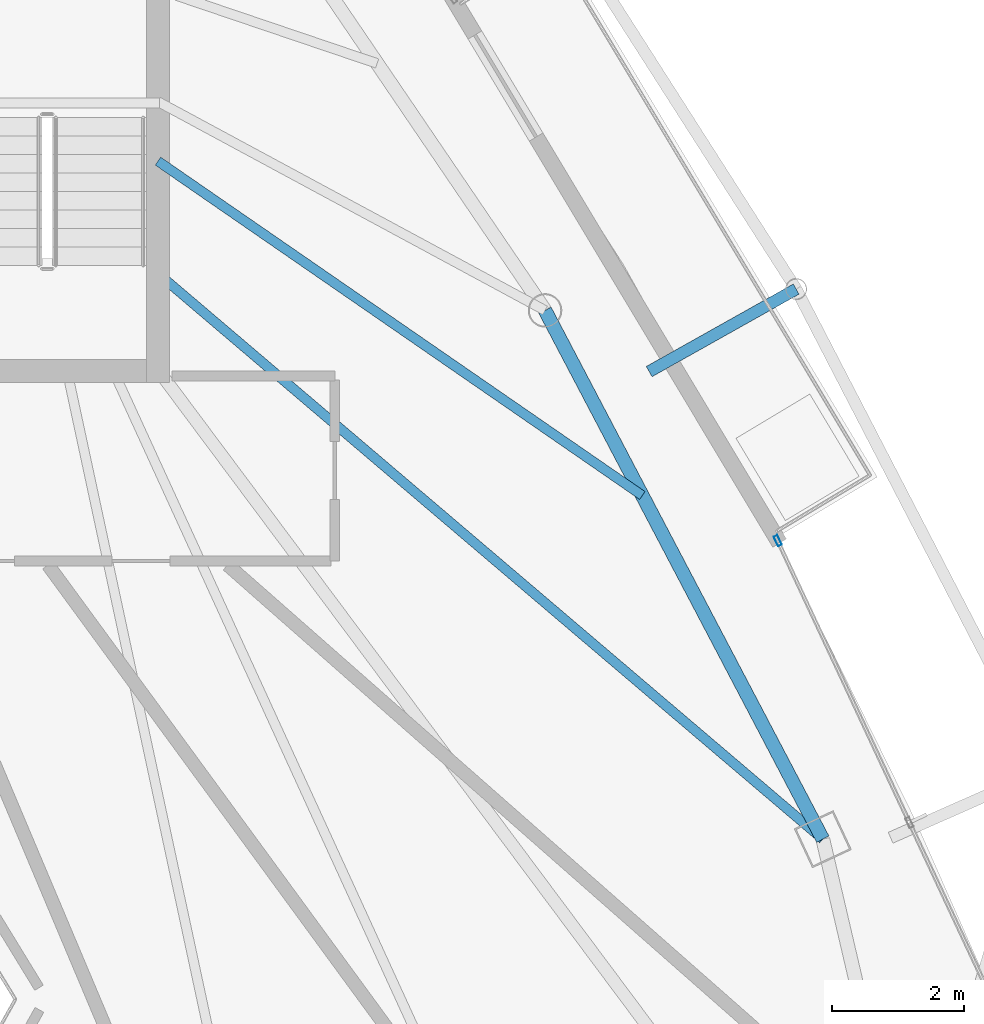
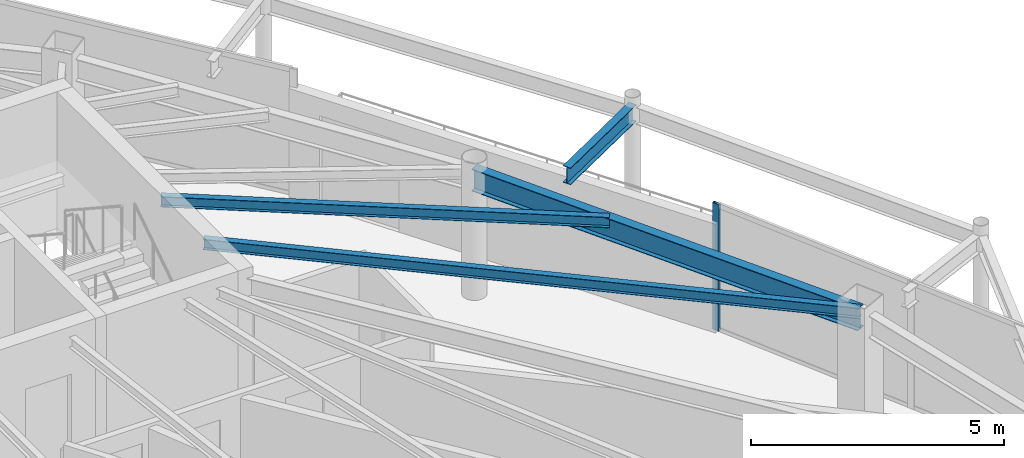
# One storey, part 17 of 28: 4 beams, 1 member, 1 element without a shape of its own.
"""IFC4 building model written with IfcOpenShell, lengths in metres."""

from ifc_helpers import new_model, si_unit, direction, frame, origin, origin_2d, place, context, subcontext, project, spatial, hollow_rectangle, i_section, extrude, material, layer, layer_set, material_profile, profile_set, type_object, element, aggregate, save


model = new_model("IFC4")

# Units and contexts
model_context = context("Model", 3, precision=1e-05, world=origin(), true_north=direction((0.0, 1.0)))
body_context = subcontext(model_context, "Body", "Model", "MODEL_VIEW")
ifc_project = project(units=[si_unit("LENGTHUNIT", "METRE"), si_unit("AREAUNIT", "SQUARE_METRE"), si_unit("VOLUMEUNIT", "CUBIC_METRE"), si_unit("PLANEANGLEUNIT", "RADIAN"), si_unit("MASSUNIT", "GRAM", prefix="KILO")], contexts=[model_context])

# Site, building, storey
site_placement = place(None, origin())
site = spatial("IfcSite", under=ifc_project, at=site_placement, CompositionType="ELEMENT")
building_placement = place(site_placement, origin())
building = spatial("IfcBuilding", under=site, at=building_placement, Name="Orvanel Arch Residences", CompositionType="ELEMENT")
storey_placement = place(building_placement, frame((0.0, 0.0, 263.449951171875)))
storey = spatial("IfcBuildingStorey", under=building, at=storey_placement, Name="L75", CompositionType="ELEMENT", Elevation=263.449951171875)

# Beams
ifc_material_1 = material(Name="Structural steel AS/NZS 3679.1 Grade 300 (300 MPa)", Category="steel")
ifc_material_profile_1 = material_profile(ifc_material_1, i_section(OverallWidth=0.14599609375, OverallDepth=0.251953125, WebThickness=0.006103515625, FlangeThickness=0.008544921875, at=origin_2d()), Name="250UB31.4")
ifc_profile_set_1 = profile_set([ifc_material_profile_1], Name="Structural steel AS/NZS 3679.1 Grade 300 (300 MPa)")
beam_type_1 = type_object("IfcBeamType", Name="BJ-250UB", PredefinedType="JOIST", material=ifc_profile_set_1)
beam_1_placement = place(storey_placement, frame((39.574951171875, 28.199951171875, 2.93408203125), z_axis=(0.761622669031, -0.64802076357, 0.0), x_axis=(0.64802076357, 0.761622669031, 0.0)))
element("IfcBeam", 1, at=beam_1_placement, inside=storey, type_object=beam_type_1, Name="L75 E Wing Floor Joist", PredefinedType="JOIST", context=body_context, shape_type="SweptSolid", body=[
    extrude(i_section(OverallWidth=0.14599609375, OverallDepth=0.251953125, WebThickness=0.006103515625, FlangeThickness=0.008544921875, at=origin_2d()), origin(), (0.0, 0.0, 1.0), 13.2060546875),
])
beam_2_placement = place(storey_placement, frame((39.574951171875, 29.89990234375, 2.93408203125), z_axis=(0.822917046387, -0.568161539323, 0.0), x_axis=(0.568161539323, 0.822917046387, 0.0)))
element("IfcBeam", 2, at=beam_2_placement, inside=storey, type_object=beam_type_1, Name="L75 CTE Wing Floor Joist", PredefinedType="JOIST", context=body_context, shape_type="SweptSolid", body=[
    extrude(i_section(OverallWidth=0.14599609375, OverallDepth=0.251953125, WebThickness=0.006103515625, FlangeThickness=0.008544921875, at=origin_2d()), origin(), (0.0, 0.0, 1.0), 8.90380859375),
])

# Curtain wall, member
ifc_material_2 = material(Name="Bronze-anodised aluminium AA6063-T6", Category="aluminium")
ifc_layer = layer(ifc_material_2, 0.175048828125)
ifc_layer_set = layer_set([ifc_layer], Name="Bronze-anodised aluminium AA6063-T6")
curtain_wall_type = type_object("IfcCurtainWallType", Name="CW4-HI-SYS", PredefinedType="NOTDEFINED", material=ifc_layer_set)
curtain_wall_placement = place(storey_placement, origin())
curtain_wall = element("IfcCurtainWall", 3, at=curtain_wall_placement, inside=storey, type_object=curtain_wall_type, Name="L75 CW4-HI-SYS Unitised Curtain Wall", PredefinedType="NOTDEFINED")
ifc_material_profile_2 = material_profile(ifc_material_2, hollow_rectangle(XDim=0.06494140625, YDim=0.159912109375, WallThickness=0.00390625, at=origin_2d()), Name="ALU160x65x4")
ifc_profile_set_2 = profile_set([ifc_material_profile_2], Name="Bronze-anodised aluminium AA6063-T6")
member_type = type_object("IfcMemberType", Name="MUL-160x65", PredefinedType="MULLION", material=ifc_profile_set_2)
member_placement = place(storey_placement, frame((48.95166015625, 24.158447265625, 0.0), z_axis=(0.0, 0.0, 1.0), x_axis=(-0.906094149888, -0.423076106083, 0.0)))
member = element("IfcMember", 4, at=member_placement, type_object=member_type, Name="CW-S4 mullion 3", PredefinedType="MULLION", context=body_context, shape_type="SweptSolid", body=[
    extrude(hollow_rectangle(XDim=0.06494140625, YDim=0.159912109375, WallThickness=0.00390625, at=origin_2d()), origin(), (0.0, 0.0, 1.0), 3.06005859375),
])
aggregate(curtain_wall, [member])

# Beams
ifc_material_profile_3 = material_profile(ifc_material_1, i_section(OverallWidth=0.177978515625, OverallDepth=0.406005859375, WebThickness=0.0078125, FlangeThickness=0.0126953125, at=origin_2d()), Name="410UB59.7")
ifc_profile_set_3 = profile_set([ifc_material_profile_3], Name="Structural steel AS/NZS 3679.1 Grade 300 (300 MPa)")
beam_type_2 = type_object("IfcBeamType", Name="OB-410UB-EXT", PredefinedType="SPANDREL", material=ifc_profile_set_3)
beam_3_placement = place(storey_placement, frame((47.006103515625, 26.716064453125, 2.85693359375), z_axis=(0.872058338595, 0.489401935108, 0.0), x_axis=(-0.489401935108, 0.872058338595, 0.0)))
element("IfcBeam", 5, at=beam_3_placement, inside=storey, type_object=beam_type_2, Name="L75 Outer Frame Radial Tie Beam 10", PredefinedType="SPANDREL", context=body_context, shape_type="SweptSolid", body=[
    extrude(i_section(OverallWidth=0.177978515625, OverallDepth=0.406005859375, WebThickness=0.0078125, FlangeThickness=0.0126953125, at=origin_2d()), origin(), (0.0, 0.0, 1.0), 2.550048828125),
])
ifc_material_profile_4 = material_profile(ifc_material_1, i_section(OverallWidth=0.208984375, OverallDepth=0.532958984375, WebThickness=0.01025390625, FlangeThickness=0.015625, at=origin_2d()), Name="530UB92.4")
ifc_profile_set_4 = profile_set([ifc_material_profile_4], Name="Structural steel AS/NZS 3679.1 Grade 300 (300 MPa)")
beam_type_3 = type_object("IfcBeamType", Name="SP-530UB", PredefinedType="SPANDREL", material=ifc_profile_set_4)
beam_4_placement = place(storey_placement, frame((49.633056640625, 19.64208984375, 2.79296875), z_axis=(-0.465064762793, 0.885276660942, 0.0), x_axis=(-0.885276660942, -0.465064762793, 0.0)))
element("IfcBeam", 6, at=beam_4_placement, inside=storey, type_object=beam_type_3, Name="L75 Perimeter Spandrel Beam 07", PredefinedType="SPANDREL", context=body_context, shape_type="SweptSolid", body=[
    extrude(i_section(OverallWidth=0.208984375, OverallDepth=0.532958984375, WebThickness=0.01025390625, FlangeThickness=0.015625, at=origin_2d()), origin(), (0.0, 0.0, 1.0), 9.03564453125),
])

save(model, "model.ifc")
